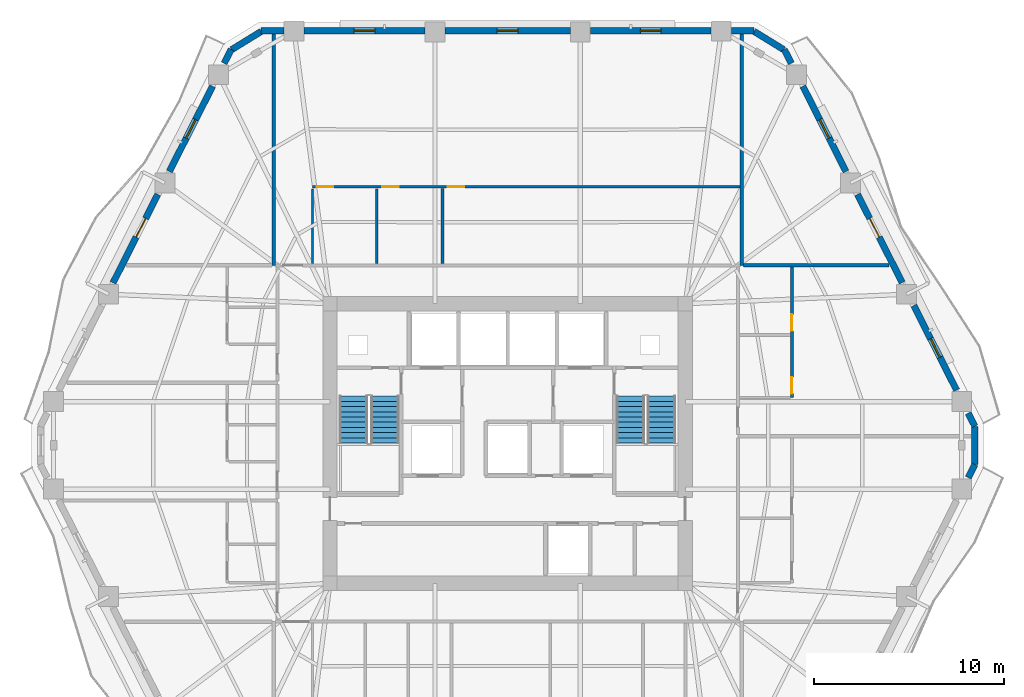
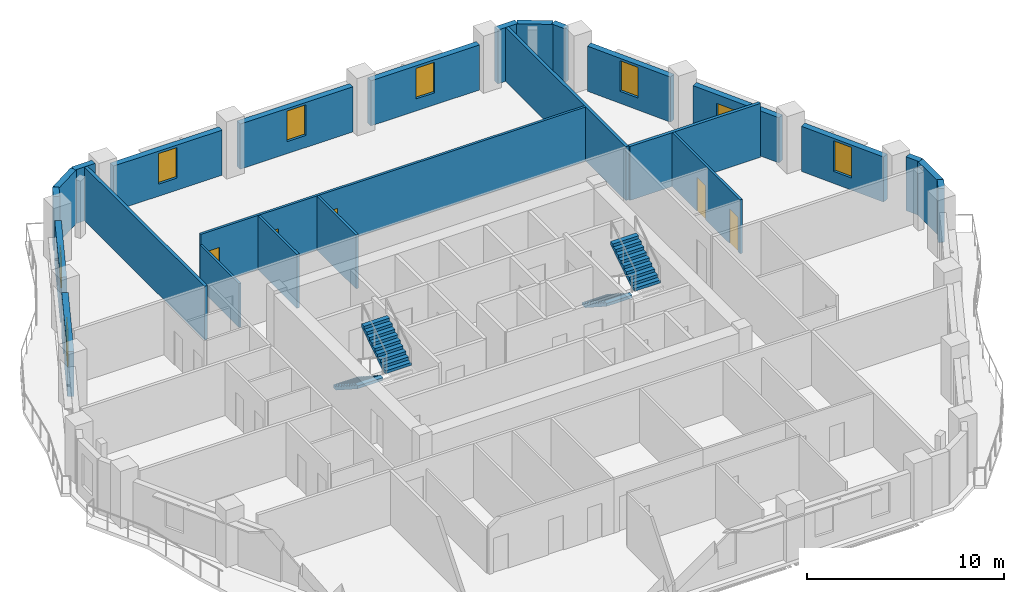
# One storey, part 7 of 12: 25 walls, 7 doors, 6 windows, 4 stair flights, 13 openings, 2 elements without a shape of their own.
"""IFC4 building model written with IfcOpenShell, lengths in metres."""

from ifc_helpers import new_model, si_unit, direction, frame, frame_2d, origin, place, context, subcontext, project, spatial, polyline, rectangle, outline, extrude, material, layer, layer_set, type_object, element, fill, aggregate, save


model = new_model("IFC4")

# Units and contexts
model_context = context("Model", 3, precision=1e-05, world=origin(), true_north=direction((0.0, 1.0)))
body_context = subcontext(model_context, "Body", "Model", "MODEL_VIEW")
ifc_project = project(units=[si_unit("LENGTHUNIT", "METRE"), si_unit("AREAUNIT", "SQUARE_METRE"), si_unit("VOLUMEUNIT", "CUBIC_METRE"), si_unit("PLANEANGLEUNIT", "RADIAN"), si_unit("MASSUNIT", "GRAM", prefix="KILO")], contexts=[model_context])

# Site, building, storey
site_placement = place(None, origin())
site = spatial("IfcSite", under=ifc_project, at=site_placement, CompositionType="ELEMENT")
building_placement = place(site_placement, origin())
building = spatial("IfcBuilding", under=site, at=building_placement, Name="Cinnabar Lancet Tower", CompositionType="ELEMENT")
storey_placement = place(building_placement, frame((0.0, 0.0, 123.25)))
storey = spatial("IfcBuildingStorey", under=building, at=storey_placement, Name="L32", CompositionType="ELEMENT", Elevation=123.25)

# Walls
ifc_material_1 = material(Name="Fire-rated twin-frame acoustic drywall", Category="gypsum")
ifc_layer_1 = layer(ifc_material_1, 0.179931640625)
ifc_layer_set_1 = layer_set([ifc_layer_1], Name="Fire-rated twin-frame acoustic drywall")
wall_type_1 = type_object("IfcWallType", Name="ARC-WL-PARTY-180", PredefinedType="PARTITIONING", material=ifc_layer_set_1)
for number, where, z_axis, x_axis, name in (
    (1, (20.050048828125, 35.300048828125, 0.0), (0.0, 0.0, 1.0), (0.0, 1.0, 0.0), "PW-L32-NPTY-200"),
    (2, (44.75, 35.300048828125, 0.0), (0.0, 0.0, 1.0), (0.0, 1.0, 0.0), "PW-L32-NPTY-448"),
):
    element("IfcWall", number, at=place(storey_placement, frame(where, z_axis=z_axis, x_axis=x_axis)), inside=storey, type_object=wall_type_1, Name=name, PredefinedType="PARTITIONING", context=body_context, shape_type="SweptSolid", body=[
        extrude(rectangle(XDim=12.195068359375, YDim=0.179931640625, at=frame_2d((6.09765625, 0.0))), origin(), (0.0, 0.0, 1.0), 3.340087890625),
    ])
wall_1_placement = place(storey_placement, frame((44.844970703125, 35.300048828125, 0.0), z_axis=(0.0, 0.0, 1.0), x_axis=(1.0, 0.0, 0.0)))
element("IfcWall", 3, at=wall_1_placement, inside=storey, type_object=wall_type_1, Name="PW-L32-ENB", PredefinedType="PARTITIONING", context=body_context, shape_type="SweptSolid", body=[
    extrude(rectangle(XDim=7.6689453125, YDim=0.179931640625, at=frame_2d((3.83447265625, 0.0))), origin(), (0.0, 0.0, 1.0), 3.340087890625),
])
ifc_material_2 = material(Name="Gypsum plasterboard stud partition", Category="gypsum")
ifc_layer_2 = layer(ifc_material_2, 0.125)
ifc_layer_set_2 = layer_set([ifc_layer_2], Name="Gypsum plasterboard stud partition")
wall_type_2 = type_object("IfcWallType", Name="ARC-WL-UNIT-125", PredefinedType="PARTITIONING", material=ifc_layer_set_2)
wall_2_placement = place(storey_placement, frame((22.10009765625, 35.385009765625, 0.0), z_axis=(0.0, 0.0, 1.0), x_axis=(0.0, 1.0, 0.0)))
element("IfcWall", 4, at=wall_2_placement, inside=storey, type_object=wall_type_2, Name="UW-L32-N01-FOYE", PredefinedType="PARTITIONING", context=body_context, shape_type="SweptSolid", body=[
    extrude(rectangle(XDim=3.9560546875, YDim=0.125, at=frame_2d((1.97802734375, 0.0))), origin(), (0.0, 0.0, 1.0), 2.721923828125),
])

# Wall, openings, doors
ifc_material_3 = material(Name="Moisture-resistant cement-board plumbing wall", Category="masonry")
ifc_layer_3 = layer(ifc_material_3, 0.139892578125)
ifc_layer_set_3 = layer_set([ifc_layer_3], Name="Moisture-resistant cement-board plumbing wall")
wall_type_3 = type_object("IfcWallType", Name="ARC-WL-WET-140", PredefinedType="PLUMBINGWALL", material=ifc_layer_set_3)
wall_3_placement = place(storey_placement, frame((22.10009765625, 39.446044921875, 0.0), z_axis=(0.0, 0.0, 1.0), x_axis=(1.0, 0.0, 0.0)))
wall_3 = element("IfcWall", 5, at=wall_3_placement, inside=storey, type_object=wall_type_3, Name="UW-L32-N01-SPL", PredefinedType="PLUMBINGWALL", context=body_context, shape_type="SweptSolid", body=[
    extrude(rectangle(XDim=22.554931640625, YDim=0.139892578125, at=frame_2d((11.27734375, 0.0))), origin(), (0.0, 0.0, 1.0), 3.340087890625),
])
opening_1_placement = place(wall_3_placement, frame((3.679931640625, 0.0, 0.0)))
opening_1 = element("IfcOpeningElement", 6, at=opening_1_placement, cuts=wall_3, Name="Opening BD-01", PredefinedType="OPENING", context=body_context, shape_type="SweptSolid", body=[
    extrude(rectangle(XDim=0.860107421875, YDim=2.10009765625, at=frame_2d((0.43017578125, 1.050048828125))), frame((0.0, 0.079833984375, 0.0), z_axis=(0.0, -1.0, 0.0), x_axis=(1.0, 0.0, 0.0)), (0.0, 0.0, 1.0), 0.159912109375),
])
opening_2_placement = place(wall_3_placement, frame((7.14208984375, 0.0, 0.0)))
opening_2 = element("IfcOpeningElement", 7, at=opening_2_placement, cuts=wall_3, Name="Opening RD-02", PredefinedType="OPENING", context=body_context, shape_type="SweptSolid", body=[
    extrude(rectangle(XDim=0.8798828125, YDim=2.14990234375, at=frame_2d((0.43994140625, 1.074951171875))), frame((0.0, 0.079833984375, 0.0), z_axis=(0.0, -1.0, 0.0), x_axis=(1.0, 0.0, 0.0)), (0.0, 0.0, 1.0), 0.159912109375),
])
opening_3_placement = place(wall_3_placement, frame((0.219970703125, 0.0, 0.0)))
opening_3 = element("IfcOpeningElement", 8, at=opening_3_placement, cuts=wall_3, Name="Opening RD-02", PredefinedType="OPENING", context=body_context, shape_type="SweptSolid", body=[
    extrude(rectangle(XDim=0.8798828125, YDim=2.14990234375, at=frame_2d((0.43994140625, 1.074951171875))), frame((0.0, 0.079833984375, 0.0), z_axis=(0.0, -1.0, 0.0), x_axis=(1.0, 0.0, 0.0)), (0.0, 0.0, 1.0), 0.159912109375),
])
ifc_material_4 = material(Name="Moisture-resistant timber bathroom door", Category="wood")
door_type_1 = type_object("IfcDoorType", Name="ARC-DR-BATH", OperationType="NOTDEFINED", PredefinedType="DOOR", material=ifc_material_4)
door_1_placement = place(opening_1_placement, origin())
door_1 = element("IfcDoor", 9, at=door_1_placement, inside=storey, type_object=door_type_1, Name="DR-L32-N01-BTH", OperationType="SINGLE_SWING_RIGHT", OverallHeight=2.10009765625, OverallWidth=0.860107421875, PredefinedType="DOOR", context=body_context, shape_type="SweptSolid", body=[
    extrude(rectangle(XDim=0.860107421875, YDim=2.10009765625, at=frame_2d((0.43017578125, 1.050048828125))), frame((0.0, 0.02490234375, 0.0), z_axis=(0.0, -1.0, 0.0), x_axis=(1.0, 0.0, 0.0)), (0.0, 0.0, 1.0), 0.050048828125),
])
fill(opening_1, door_1)
ifc_material_5 = material(Name="Engineered timber study door", Category="wood")
door_type_2 = type_object("IfcDoorType", Name="ARC-DR-STUDY", OperationType="NOTDEFINED", PredefinedType="DOOR", material=ifc_material_5)
door_2_placement = place(opening_2_placement, origin())
door_2 = element("IfcDoor", 10, at=door_2_placement, inside=storey, type_object=door_type_2, Name="DR-L32-N01-BTH-WDR", OperationType="SINGLE_SWING_LEFT", OverallHeight=2.14990234375, OverallWidth=0.8798828125, PredefinedType="DOOR", context=body_context, shape_type="SweptSolid", body=[
    extrude(rectangle(XDim=0.8798828125, YDim=2.14990234375, at=frame_2d((0.43994140625, 1.074951171875))), frame((0.0, 0.02490234375, 0.0), z_axis=(0.0, -1.0, 0.0), x_axis=(1.0, 0.0, 0.0)), (0.0, 0.0, 1.0), 0.050048828125),
])
fill(opening_2, door_2)
door_3_placement = place(opening_3_placement, origin())
door_3 = element("IfcDoor", 11, at=door_3_placement, inside=storey, type_object=door_type_2, Name="DR-L32-N01-KIT", OperationType="SINGLE_SWING_LEFT", OverallHeight=2.14990234375, OverallWidth=0.8798828125, PredefinedType="DOOR", context=body_context, shape_type="SweptSolid", body=[
    extrude(rectangle(XDim=0.8798828125, YDim=2.14990234375, at=frame_2d((0.43994140625, 1.074951171875))), frame((0.0, 0.02490234375, 0.0), z_axis=(0.0, -1.0, 0.0), x_axis=(1.0, 0.0, 0.0)), (0.0, 0.0, 1.0), 0.050048828125),
])
fill(opening_3, door_3)

# Walls
wall_4_placement = place(storey_placement, frame((25.5, 35.385009765625, 0.0), z_axis=(0.0, 0.0, 1.0), x_axis=(0.0, 1.0, 0.0)))
element("IfcWall", 12, at=wall_4_placement, inside=storey, type_object=wall_type_3, Name="UW-L32-N01-KDV", PredefinedType="PLUMBINGWALL", context=body_context, shape_type="SweptSolid", body=[
    extrude(rectangle(XDim=3.9560546875, YDim=0.139892578125, at=frame_2d((1.97802734375, 0.0))), origin(), (0.0, 0.0, 1.0), 3.340087890625),
])
wall_5_placement = place(storey_placement, frame((28.9619140625, 35.385009765625, 0.0), z_axis=(0.0, 0.0, 1.0), x_axis=(0.0, 1.0, 0.0)))
element("IfcWall", 13, at=wall_5_placement, inside=storey, type_object=wall_type_3, Name="UW-L32-N01-BTH-WDV", PredefinedType="PLUMBINGWALL", context=body_context, shape_type="SweptSolid", body=[
    extrude(rectangle(XDim=3.97607421875, YDim=0.139892578125, at=frame_2d((1.988037109375, 0.0))), origin(), (0.0, 0.0, 1.0), 3.340087890625),
])

# Wall, openings, doors
wall_6_placement = place(storey_placement, frame((47.39990234375, 28.325927734375, 0.0), z_axis=(0.0, 0.0, 1.0), x_axis=(0.0, 1.0, 0.0)))
wall_6 = element("IfcWall", 14, at=wall_6_placement, inside=storey, type_object=wall_type_3, Name="UW-L32-E02-SPL", PredefinedType="PLUMBINGWALL", context=body_context, shape_type="SweptSolid", body=[
    extrude(rectangle(XDim=6.879150390625, YDim=0.139892578125, at=frame_2d((3.439453125, 0.0))), origin(), (0.0, 0.0, 1.0), 3.340087890625),
])
opening_4_placement = place(wall_6_placement, frame((3.52197265625, 0.0, 0.0)))
opening_4 = element("IfcOpeningElement", 15, at=opening_4_placement, cuts=wall_6, Name="Opening BD-01", PredefinedType="OPENING", context=body_context, shape_type="SweptSolid", body=[
    extrude(rectangle(XDim=0.860107421875, YDim=2.10009765625, at=frame_2d((0.43017578125, 1.050048828125))), frame((0.0, 0.079833984375, 0.0), z_axis=(0.0, -1.0, 0.0), x_axis=(1.0, 0.0, 0.0)), (0.0, 0.0, 1.0), 0.159912109375),
])
opening_5_placement = place(wall_6_placement, frame((0.199951171875, 0.0, 0.0)))
opening_5 = element("IfcOpeningElement", 16, at=opening_5_placement, cuts=wall_6, Name="Opening RD-02", PredefinedType="OPENING", context=body_context, shape_type="SweptSolid", body=[
    extrude(rectangle(XDim=0.8798828125, YDim=2.14990234375, at=frame_2d((0.43994140625, 1.074951171875))), frame((0.0, 0.079833984375, 0.0), z_axis=(0.0, -1.0, 0.0), x_axis=(1.0, 0.0, 0.0)), (0.0, 0.0, 1.0), 0.159912109375),
])
door_4_placement = place(opening_4_placement, origin())
door_4 = element("IfcDoor", 17, at=door_4_placement, inside=storey, type_object=door_type_1, Name="DR-L32-E02-BTH", OperationType="SINGLE_SWING_LEFT", OverallHeight=2.10009765625, OverallWidth=0.860107421875, PredefinedType="DOOR", context=body_context, shape_type="SweptSolid", body=[
    extrude(rectangle(XDim=0.860107421875, YDim=2.10009765625, at=frame_2d((0.43017578125, 1.050048828125))), frame((0.0, 0.02490234375, 0.0), z_axis=(0.0, -1.0, 0.0), x_axis=(1.0, 0.0, 0.0)), (0.0, 0.0, 1.0), 0.050048828125),
])
fill(opening_4, door_4)
door_5_placement = place(opening_5_placement, origin())
door_5 = element("IfcDoor", 18, at=door_5_placement, inside=storey, type_object=door_type_2, Name="DR-L32-E02-KIT", OperationType="SINGLE_SWING_RIGHT", OverallHeight=2.14990234375, OverallWidth=0.8798828125, PredefinedType="DOOR", context=body_context, shape_type="SweptSolid", body=[
    extrude(rectangle(XDim=0.8798828125, YDim=2.14990234375, at=frame_2d((0.43994140625, 1.074951171875))), frame((0.0, 0.02490234375, 0.0), z_axis=(0.0, -1.0, 0.0), x_axis=(1.0, 0.0, 0.0)), (0.0, 0.0, 1.0), 0.050048828125),
])
fill(opening_5, door_5)

# Walls
ifc_material_6 = material(Name="Cinnabar red clay brick", Category="masonry")
ifc_layer_4 = layer(ifc_material_6, 0.340087890625)
ifc_layer_set_4 = layer_set([ifc_layer_4], Name="Cinnabar red clay brick")
wall_type_4 = type_object("IfcWallType", Name="ENV-WL-BRK-RED-340", PredefinedType="STANDARD", material=ifc_layer_set_4)
wall_7_placement = place(storey_placement, frame((57.032958984375, 24.802978515625, 0.0), z_axis=(0.0, 0.0, 1.0), x_axis=(0.0, 1.0, 0.0)))
element("IfcWall", 19, at=wall_7_placement, inside=storey, type_object=wall_type_4, Name="L32 Chamfered Corner Brick Pier 3.1", PredefinedType="STANDARD", context=body_context, shape_type="SweptSolid", body=[
    extrude(rectangle(XDim=1.994140625, YDim=0.340087890625, at=frame_2d((0.9970703125, 0.0))), origin(), (0.0, 0.0, 1.0), 3.340087890625),
])
for number, where, z_axis, x_axis, name in (
    (20, (46.970947265625, 46.677001953125, 0.0), (0.0, 0.0, 1.0), (-0.851798915137, 0.523868884523, 0.0), "L32 Chamfered Corner Brick Pier 4.1"),
    (21, (19.403076171875, 47.64501953125, 0.0), (0.0, 0.0, 1.0), (-0.851798915137, -0.523868884523, 0.0), "L32 Chamfered Corner Brick Pier 5.1"),
):
    element("IfcWall", number, at=place(storey_placement, frame(where, z_axis=z_axis, x_axis=x_axis)), inside=storey, type_object=wall_type_4, Name=name, PredefinedType="STANDARD", context=body_context, shape_type="SweptSolid", body=[
        extrude(rectangle(XDim=1.847900390625, YDim=0.340087890625, at=frame_2d((0.923828125, 0.0))), origin(), (0.0, 0.0, 1.0), 3.340087890625),
    ])
for number, where, z_axis, x_axis, name in (
    (22, (56.699951171875, 24.096923828125, 0.0), (0.0, 0.0, 1.0), (0.451819324107, 0.89210946546, 0.0), "L32 Face 2 Masonry Bay Wall 5"),
    (23, (57.053955078125, 26.803955078125, 0.0), (0.0, 0.0, 1.0), (-0.451819324107, 0.89210946546, 0.0), "L32 Face 3 Masonry Bay Wall 1"),
):
    element("IfcWall", number, at=place(storey_placement, frame(where, z_axis=z_axis, x_axis=x_axis)), inside=storey, type_object=wall_type_4, Name=name, PredefinedType="STANDARD", context=body_context, shape_type="SweptSolid", body=[
        extrude(rectangle(XDim=0.783447265625, YDim=0.340087890625, at=frame_2d((0.3916015625, 0.0))), origin(), (0.0, 0.0, 1.0), 3.340087890625),
    ])

# Wall, opening, window
wall_8_placement = place(storey_placement, frame((56.0869140625, 28.715087890625, 0.0), z_axis=(0.0, 0.0, 1.0), x_axis=(-0.451431617681, 0.892305718102, 0.0)))
wall_8 = element("IfcWall", 24, at=wall_8_placement, inside=storey, type_object=wall_type_4, Name="L32 Face 3 Masonry Bay Wall 2", PredefinedType="STANDARD", context=body_context, shape_type="SweptSolid", body=[
    extrude(rectangle(XDim=4.994873046875, YDim=0.340087890625, at=frame_2d((2.49755859375, 0.0))), origin(), (0.0, 0.0, 1.0), 2.797119140625),
])
opening_6_placement = place(wall_8_placement, frame((1.947021484375, 0.0, 0.75)))
opening_6 = element("IfcOpeningElement", 25, at=opening_6_placement, cuts=wall_8, Name="Opening WN-04", PredefinedType="OPENING", context=body_context, shape_type="SweptSolid", body=[
    extrude(rectangle(XDim=1.10009765625, YDim=1.89697265625, at=frame_2d((0.550048828125, 0.948486328125))), frame((0.0, 0.179931640625, 0.0), z_axis=(0.0, -1.0, 0.0), x_axis=(1.0, 0.0, 0.0)), (0.0, 0.0, 1.0), 0.360107421875),
])
ifc_material_7 = material(Name="Thermally broken bronze-anodized aluminium tall lancet window", Category="aluminium")
window_type = type_object("IfcWindowType", Name="ENV-WN-LANCET-1100", PartitioningType="SINGLE_PANEL", PredefinedType="WINDOW", material=ifc_material_7)
window_1_placement = place(opening_6_placement, origin())
window_1 = element("IfcWindow", 26, at=window_1_placement, inside=storey, type_object=window_type, Name="L32 Face 3 Gothic Lancet Window 2", OverallHeight=1.89697265625, OverallWidth=1.10009765625, PartitioningType="SINGLE_PANEL", PredefinedType="WINDOW", context=body_context, shape_type="SweptSolid", body=[
    extrude(rectangle(XDim=1.10009765625, YDim=1.89697265625, at=frame_2d((0.550048828125, 0.948486328125))), frame((0.0, 0.030029296875, 0.0), z_axis=(0.0, -1.0, 0.0), x_axis=(1.0, 0.0, 0.0)), (0.0, 0.0, 1.0), 0.06005859375),
])
fill(opening_6, window_1)

# Wall, opening, door
wall_9_placement = place(storey_placement, frame((53.219970703125, 34.382080078125, 0.0), z_axis=(0.0, 0.0, 1.0), x_axis=(-0.451567731634, 0.892236842855, 0.0)))
wall_9 = element("IfcWall", 27, at=wall_9_placement, inside=storey, type_object=wall_type_4, Name="L32 Face 3 Masonry Bay Wall 3", PredefinedType="STANDARD", context=body_context, shape_type="SweptSolid", body=[
    extrude(rectangle(XDim=5.219482421875, YDim=0.340087890625, at=frame_2d((2.60986328125, 0.0))), origin(), (0.0, 0.0, 1.0), 2.797119140625),
])
opening_7_placement = place(wall_9_placement, frame((2.698974609375, 0.0, 0.0)))
opening_7 = element("IfcOpeningElement", 28, at=opening_7_placement, cuts=wall_9, Name="Opening TD-01", PredefinedType="OPENING", context=body_context, shape_type="SweptSolid", body=[
    extrude(rectangle(XDim=1.10009765625, YDim=2.25, at=frame_2d((0.550048828125, 1.125))), frame((0.0, 0.179931640625, 0.0), z_axis=(0.0, -1.0, 0.0), x_axis=(1.0, 0.0, 0.0)), (0.0, 0.0, 1.0), 0.360107421875),
])
ifc_material_8 = material(Name="Thermally broken low-E glazed balcony terrace door", Category="wood")
door_type_3 = type_object("IfcDoorType", Name="ARC-DR-BALC", OperationType="NOTDEFINED", PredefinedType="DOOR", material=ifc_material_8)
door_6_placement = place(opening_7_placement, origin())
door_6 = element("IfcDoor", 29, at=door_6_placement, inside=storey, type_object=door_type_3, Name="L32 Face 3 Glazed Terrace Door", OperationType="SINGLE_SWING_LEFT", OverallHeight=2.25, OverallWidth=1.10009765625, PredefinedType="DOOR", context=body_context, shape_type="SweptSolid", body=[
    extrude(rectangle(XDim=1.10009765625, YDim=2.25, at=frame_2d((0.550048828125, 1.125))), frame((0.0, 0.02490234375, 0.0), z_axis=(0.0, -1.0, 0.0), x_axis=(1.0, 0.0, 0.0)), (0.0, 0.0, 1.0), 0.050048828125),
])
fill(opening_7, door_6)

# Wall, opening, window
wall_10_placement = place(storey_placement, frame((50.2509765625, 40.2509765625, 0.0), z_axis=(0.0, 0.0, 1.0), x_axis=(-0.451548465867, 0.892246593142, 0.0)))
wall_10 = element("IfcWall", 30, at=wall_10_placement, inside=storey, type_object=wall_type_4, Name="L32 Face 3 Masonry Bay Wall 4", PredefinedType="STANDARD", context=body_context, shape_type="SweptSolid", body=[
    extrude(rectangle(XDim=5.040283203125, YDim=0.340087890625, at=frame_2d((2.52001953125, 0.0))), origin(), (0.0, 0.0, 1.0), 2.797119140625),
])
opening_8_placement = place(wall_10_placement, frame((1.969970703125, 0.0, 0.75)))
opening_8 = element("IfcOpeningElement", 31, at=opening_8_placement, cuts=wall_10, Name="Opening WN-04", PredefinedType="OPENING", context=body_context, shape_type="SweptSolid", body=[
    extrude(rectangle(XDim=1.10009765625, YDim=1.89697265625, at=frame_2d((0.550048828125, 0.948486328125))), frame((0.0, 0.179931640625, 0.0), z_axis=(0.0, -1.0, 0.0), x_axis=(1.0, 0.0, 0.0)), (0.0, 0.0, 1.0), 0.360107421875),
])
window_2_placement = place(opening_8_placement, origin())
window_2 = element("IfcWindow", 32, at=window_2_placement, inside=storey, type_object=window_type, Name="L32 Face 3 Gothic Lancet Window 4", OverallHeight=1.89697265625, OverallWidth=1.10009765625, PartitioningType="SINGLE_PANEL", PredefinedType="WINDOW", context=body_context, shape_type="SweptSolid", body=[
    extrude(rectangle(XDim=1.10009765625, YDim=1.89697265625, at=frame_2d((0.550048828125, 0.948486328125))), frame((0.0, 0.030029296875, 0.0), z_axis=(0.0, -1.0, 0.0), x_axis=(1.0, 0.0, 0.0)), (0.0, 0.0, 1.0), 0.06005859375),
])
fill(opening_8, window_2)

# Walls
wall_11_placement = place(storey_placement, frame((47.362060546875, 45.9599609375, 0.0), z_axis=(0.0, 0.0, 1.0), x_axis=(-0.45160540153, 0.89221777684, 0.0)))
element("IfcWall", 33, at=wall_11_placement, inside=storey, type_object=wall_type_4, Name="L32 Face 3 Masonry Bay Wall 5", PredefinedType="STANDARD", context=body_context, shape_type="SweptSolid", body=[
    extrude(rectangle(XDim=0.82177734375, YDim=0.340087890625, at=frame_2d((0.410888671875, 0.0))), origin(), (0.0, 0.0, 1.0), 3.340087890625),
])
wall_12_placement = place(storey_placement, frame((45.402099609375, 47.669921875, 0.0), z_axis=(0.0, 0.0, 1.0), x_axis=(-1.0, 0.0, 0.0)))
element("IfcWall", 34, at=wall_12_placement, inside=storey, type_object=wall_type_4, Name="L32 Face 4 Masonry Bay Wall 1", PredefinedType="STANDARD", context=body_context, shape_type="SweptSolid", body=[
    extrude(rectangle(XDim=1.2041015625, YDim=0.340087890625, at=frame_2d((0.60205078125, 0.0))), origin(), (0.0, 0.0, 1.0), 3.340087890625),
])

# Wall, opening, window
wall_13_placement = place(storey_placement, frame((43.139892578125, 47.669921875, 0.0), z_axis=(0.0, 0.0, 1.0), x_axis=(-1.0, 0.0, 0.0)))
wall_13 = element("IfcWall", 35, at=wall_13_placement, inside=storey, type_object=wall_type_4, Name="L32 Face 4 Masonry Bay Wall 2", PredefinedType="STANDARD", context=body_context, shape_type="SweptSolid", body=[
    extrude(rectangle(XDim=6.37890625, YDim=0.340087890625, at=frame_2d((3.189453125, 0.0))), origin(), (0.0, 0.0, 1.0), 2.797119140625),
])
opening_9_placement = place(wall_13_placement, frame((2.638916015625, 0.0, 0.75)))
opening_9 = element("IfcOpeningElement", 36, at=opening_9_placement, cuts=wall_13, Name="Opening WN-04", PredefinedType="OPENING", context=body_context, shape_type="SweptSolid", body=[
    extrude(rectangle(XDim=1.10009765625, YDim=1.89697265625, at=frame_2d((0.550048828125, 0.948486328125))), frame((0.0, 0.179931640625, 0.0), z_axis=(0.0, -1.0, 0.0), x_axis=(1.0, 0.0, 0.0)), (0.0, 0.0, 1.0), 0.360107421875),
])
window_3_placement = place(opening_9_placement, origin())
window_3 = element("IfcWindow", 37, at=window_3_placement, inside=storey, type_object=window_type, Name="L32 Face 4 Gothic Lancet Window 2", OverallHeight=1.89697265625, OverallWidth=1.10009765625, PartitioningType="SINGLE_PANEL", PredefinedType="WINDOW", context=body_context, shape_type="SweptSolid", body=[
    extrude(rectangle(XDim=1.10009765625, YDim=1.89697265625, at=frame_2d((0.550048828125, 0.948486328125))), frame((0.0, 0.030029296875, 0.0), z_axis=(0.0, -1.0, 0.0), x_axis=(1.0, 0.0, 0.0)), (0.0, 0.0, 1.0), 0.06005859375),
])
fill(opening_9, window_3)

wall_14_placement = place(storey_placement, frame((35.702880859375, 47.669921875, 0.0), z_axis=(0.0, 0.0, 1.0), x_axis=(-1.0, 0.0, 0.0)))
wall_14 = element("IfcWall", 38, at=wall_14_placement, inside=storey, type_object=wall_type_4, Name="L32 Face 4 Masonry Bay Wall 3", PredefinedType="STANDARD", context=body_context, shape_type="SweptSolid", body=[
    extrude(rectangle(XDim=6.60595703125, YDim=0.340087890625, at=frame_2d((3.302978515625, 0.0))), origin(), (0.0, 0.0, 1.0), 2.797119140625),
])
opening_10_placement = place(wall_14_placement, frame((2.7529296875, 0.0, 0.75)))
opening_10 = element("IfcOpeningElement", 39, at=opening_10_placement, cuts=wall_14, Name="Opening WN-04", PredefinedType="OPENING", context=body_context, shape_type="SweptSolid", body=[
    extrude(rectangle(XDim=1.10009765625, YDim=1.89697265625, at=frame_2d((0.550048828125, 0.948486328125))), frame((0.0, 0.179931640625, 0.0), z_axis=(0.0, -1.0, 0.0), x_axis=(1.0, 0.0, 0.0)), (0.0, 0.0, 1.0), 0.360107421875),
])
window_4_placement = place(opening_10_placement, origin())
window_4 = element("IfcWindow", 40, at=window_4_placement, inside=storey, type_object=window_type, Name="L32 Face 4 Gothic Lancet Window 3", OverallHeight=1.89697265625, OverallWidth=1.10009765625, PartitioningType="SINGLE_PANEL", PredefinedType="WINDOW", context=body_context, shape_type="SweptSolid", body=[
    extrude(rectangle(XDim=1.10009765625, YDim=1.89697265625, at=frame_2d((0.550048828125, 0.948486328125))), frame((0.0, 0.030029296875, 0.0), z_axis=(0.0, -1.0, 0.0), x_axis=(1.0, 0.0, 0.0)), (0.0, 0.0, 1.0), 0.06005859375),
])
fill(opening_10, window_4)

wall_15_placement = place(storey_placement, frame((28.0390625, 47.669921875, 0.0), z_axis=(0.0, 0.0, 1.0), x_axis=(-1.0, 0.0, 0.0)))
wall_15 = element("IfcWall", 41, at=wall_15_placement, inside=storey, type_object=wall_type_4, Name="L32 Face 4 Masonry Bay Wall 4", PredefinedType="STANDARD", context=body_context, shape_type="SweptSolid", body=[
    extrude(rectangle(XDim=6.379150390625, YDim=0.340087890625, at=frame_2d((3.189453125, 0.0))), origin(), (0.0, 0.0, 1.0), 2.797119140625),
])
opening_11_placement = place(wall_15_placement, frame((2.639892578125, 0.0, 0.75)))
opening_11 = element("IfcOpeningElement", 42, at=opening_11_placement, cuts=wall_15, Name="Opening WN-04", PredefinedType="OPENING", context=body_context, shape_type="SweptSolid", body=[
    extrude(rectangle(XDim=1.10009765625, YDim=1.89697265625, at=frame_2d((0.550048828125, 0.948486328125))), frame((0.0, 0.179931640625, 0.0), z_axis=(0.0, -1.0, 0.0), x_axis=(1.0, 0.0, 0.0)), (0.0, 0.0, 1.0), 0.360107421875),
])
window_5_placement = place(opening_11_placement, origin())
window_5 = element("IfcWindow", 43, at=window_5_placement, inside=storey, type_object=window_type, Name="L32 Face 4 Gothic Lancet Window 4", OverallHeight=1.89697265625, OverallWidth=1.10009765625, PartitioningType="SINGLE_PANEL", PredefinedType="WINDOW", context=body_context, shape_type="SweptSolid", body=[
    extrude(rectangle(XDim=1.10009765625, YDim=1.89697265625, at=frame_2d((0.550048828125, 0.948486328125))), frame((0.0, 0.030029296875, 0.0), z_axis=(0.0, -1.0, 0.0), x_axis=(1.0, 0.0, 0.0)), (0.0, 0.0, 1.0), 0.06005859375),
])
fill(opening_11, window_5)

# Walls
wall_16_placement = place(storey_placement, frame((20.60205078125, 47.669921875, 0.0), z_axis=(0.0, 0.0, 1.0), x_axis=(-1.0, 0.0, 0.0)))
element("IfcWall", 44, at=wall_16_placement, inside=storey, type_object=wall_type_4, Name="L32 Face 4 Masonry Bay Wall 5", PredefinedType="STANDARD", context=body_context, shape_type="SweptSolid", body=[
    extrude(rectangle(XDim=1.2041015625, YDim=0.340087890625, at=frame_2d((0.60205078125, 0.0))), origin(), (0.0, 0.0, 1.0), 3.340087890625),
])
wall_17_placement = place(storey_placement, frame((17.80908203125, 46.693115234375, 0.0), z_axis=(0.0, 0.0, 1.0), x_axis=(-0.45160540153, -0.89221777684, 0.0)))
element("IfcWall", 45, at=wall_17_placement, inside=storey, type_object=wall_type_4, Name="L32 Face 5 Masonry Bay Wall 1", PredefinedType="STANDARD", context=body_context, shape_type="SweptSolid", body=[
    extrude(rectangle(XDim=0.82177734375, YDim=0.340087890625, at=frame_2d((0.410888671875, 0.0))), origin(), (0.0, 0.0, 1.0), 3.340087890625),
])

# Wall, opening, window
wall_18_placement = place(storey_placement, frame((16.824951171875, 44.748046875, 0.0), z_axis=(0.0, 0.0, 1.0), x_axis=(-0.451548465867, -0.892246593142, 0.0)))
wall_18 = element("IfcWall", 46, at=wall_18_placement, inside=storey, type_object=wall_type_4, Name="L32 Face 5 Masonry Bay Wall 2", PredefinedType="STANDARD", context=body_context, shape_type="SweptSolid", body=[
    extrude(rectangle(XDim=5.040283203125, YDim=0.340087890625, at=frame_2d((2.52001953125, 0.0))), origin(), (0.0, 0.0, 1.0), 2.797119140625),
])
opening_12_placement = place(wall_18_placement, frame((1.969970703125, 0.0, 0.75)))
opening_12 = element("IfcOpeningElement", 47, at=opening_12_placement, cuts=wall_18, Name="Opening WN-04", PredefinedType="OPENING", context=body_context, shape_type="SweptSolid", body=[
    extrude(rectangle(XDim=1.10009765625, YDim=1.89697265625, at=frame_2d((0.550048828125, 0.948486328125))), frame((0.0, 0.179931640625, 0.0), z_axis=(0.0, -1.0, 0.0), x_axis=(1.0, 0.0, 0.0)), (0.0, 0.0, 1.0), 0.360107421875),
])
window_6_placement = place(opening_12_placement, origin())
window_6 = element("IfcWindow", 48, at=window_6_placement, inside=storey, type_object=window_type, Name="L32 Face 5 Gothic Lancet Window 2", OverallHeight=1.89697265625, OverallWidth=1.10009765625, PartitioningType="SINGLE_PANEL", PredefinedType="WINDOW", context=body_context, shape_type="SweptSolid", body=[
    extrude(rectangle(XDim=1.10009765625, YDim=1.89697265625, at=frame_2d((0.550048828125, 0.948486328125))), frame((0.0, 0.030029296875, 0.0), z_axis=(0.0, -1.0, 0.0), x_axis=(1.0, 0.0, 0.0)), (0.0, 0.0, 1.0), 0.06005859375),
])
fill(opening_12, window_6)

# Wall, opening, door
wall_19_placement = place(storey_placement, frame((13.93701171875, 39.0390625, 0.0), z_axis=(0.0, 0.0, 1.0), x_axis=(-0.451567731634, -0.892236842855, 0.0)))
wall_19 = element("IfcWall", 49, at=wall_19_placement, inside=storey, type_object=wall_type_4, Name="L32 Face 5 Masonry Bay Wall 3", PredefinedType="STANDARD", context=body_context, shape_type="SweptSolid", body=[
    extrude(rectangle(XDim=5.219482421875, YDim=0.340087890625, at=frame_2d((2.60986328125, 0.0))), origin(), (0.0, 0.0, 1.0), 2.797119140625),
])
opening_13_placement = place(wall_19_placement, frame((1.419921875, 0.0, 0.0)))
opening_13 = element("IfcOpeningElement", 50, at=opening_13_placement, cuts=wall_19, Name="Opening TD-01", PredefinedType="OPENING", context=body_context, shape_type="SweptSolid", body=[
    extrude(rectangle(XDim=1.10009765625, YDim=2.25, at=frame_2d((0.550048828125, 1.125))), frame((0.0, 0.179931640625, 0.0), z_axis=(0.0, -1.0, 0.0), x_axis=(1.0, 0.0, 0.0)), (0.0, 0.0, 1.0), 0.360107421875),
])
door_7_placement = place(opening_13_placement, origin())
door_7 = element("IfcDoor", 51, at=door_7_placement, inside=storey, type_object=door_type_3, Name="L32 Face 5 Glazed Terrace Door", OperationType="SINGLE_SWING_LEFT", OverallHeight=2.25, OverallWidth=1.10009765625, PredefinedType="DOOR", context=body_context, shape_type="SweptSolid", body=[
    extrude(rectangle(XDim=1.10009765625, YDim=2.25, at=frame_2d((0.550048828125, 1.125))), frame((0.0, 0.02490234375, 0.0), z_axis=(0.0, -1.0, 0.0), x_axis=(1.0, 0.0, 0.0)), (0.0, 0.0, 1.0), 0.050048828125),
])
fill(opening_13, door_7)

# Stair, stair flights
ifc_material_9 = material(Name="Concrete C40/50", Category="concrete")
stair_type = type_object("IfcStairType", Name="ST-CORE", PredefinedType="HALF_TURN_STAIR", material=ifc_material_9)
stair_1_placement = place(storey_placement, origin())
stair_1 = element("IfcStair", 52, at=stair_1_placement, inside=storey, type_object=stair_type, Name="L32 ST-1", PredefinedType="HALF_TURN_STAIR")
ifc_material_10 = material(Name="Concrete C40/50", Category="concrete")
stair_flight_type = type_object("IfcStairFlightType", Name="FLIGHT-CORE", PredefinedType="STRAIGHT", material=ifc_material_10)
stair_flight_1_placement = place(storey_placement, frame((24.27490234375, 28.39990234375, 0.0), z_axis=(0.0, 0.0, 1.0), x_axis=(0.0, -1.0, 0.0)))
stair_flight_1 = element("IfcStairFlight", 53, at=stair_flight_1_placement, type_object=stair_flight_type, Name="ST-1 flight 1", NumberOfRisers=10, NumberOfTreads=9, PredefinedType="STRAIGHT", RiserHeight=0.1775, TreadLength=0.275, context=body_context, shape_type="SweptSolid", body=[
    extrude(outline(polyline([(0.0, 0.0), (0.0, 0.177490234375), (0.27490234375, 0.177490234375), (0.27490234375, 0.35498046875), (0.550048828125, 0.35498046875), (0.550048828125, 0.532470703125), (0.824951171875, 0.532470703125), (0.824951171875, 0.7099609375), (1.10009765625, 0.7099609375), (1.10009765625, 0.887451171875), (1.375, 0.887451171875), (1.375, 1.06494140625), (1.64990234375, 1.06494140625), (1.64990234375, 1.242431640625), (1.925048828125, 1.242431640625), (1.925048828125, 1.419921875), (2.199951171875, 1.419921875), (2.199951171875, 1.597412109375), (2.47509765625, 1.597412109375), (2.47509765625, 1.77490234375), (2.47509765625, 1.419189453125), (0.2763671875, 0.0), (0.0, 0.0)])), frame((0.0, 0.75, 0.0), z_axis=(0.0, -1.0, 0.0), x_axis=(1.0, 0.0, 0.0)), (0.0, 0.0, 1.0), 1.5),
])
stair_flight_2_placement = place(storey_placement, frame((25.925048828125, 25.925048828125, 1.77490234375), z_axis=(0.0, 0.0, 1.0), x_axis=(0.0, 1.0, 0.0)))
stair_flight_2 = element("IfcStairFlight", 54, at=stair_flight_2_placement, type_object=stair_flight_type, Name="ST-1 flight 2", NumberOfRisers=10, NumberOfTreads=9, PredefinedType="STRAIGHT", RiserHeight=0.1775, TreadLength=0.275, context=body_context, shape_type="SweptSolid", body=[
    extrude(outline(polyline([(0.0, 0.0), (0.0, 0.177490234375), (0.27490234375, 0.177490234375), (0.27490234375, 0.35498046875), (0.550048828125, 0.35498046875), (0.550048828125, 0.532470703125), (0.824951171875, 0.532470703125), (0.824951171875, 0.7099609375), (1.10009765625, 0.7099609375), (1.10009765625, 0.887451171875), (1.375, 0.887451171875), (1.375, 1.06494140625), (1.64990234375, 1.06494140625), (1.64990234375, 1.242431640625), (1.925048828125, 1.242431640625), (1.925048828125, 1.419921875), (2.199951171875, 1.419921875), (2.199951171875, 1.597412109375), (2.47509765625, 1.597412109375), (2.47509765625, 1.77490234375), (2.47509765625, 1.419189453125), (0.2763671875, 0.0), (0.0, 0.0)])), frame((0.0, 0.75, 0.0), z_axis=(0.0, -1.0, 0.0), x_axis=(1.0, 0.0, 0.0)), (0.0, 0.0, 1.0), 1.5),
])
aggregate(stair_1, [stair_flight_1, stair_flight_2])

stair_2_placement = place(storey_placement, origin())
stair_2 = element("IfcStair", 55, at=stair_2_placement, inside=storey, type_object=stair_type, Name="L32 ST-2", PredefinedType="HALF_TURN_STAIR")
stair_flight_3_placement = place(storey_placement, frame((38.875, 28.39990234375, 0.0), z_axis=(0.0, 0.0, 1.0), x_axis=(0.0, -1.0, 0.0)))
stair_flight_3 = element("IfcStairFlight", 56, at=stair_flight_3_placement, type_object=stair_flight_type, Name="ST-2 flight 1", NumberOfRisers=10, NumberOfTreads=9, PredefinedType="STRAIGHT", RiserHeight=0.1775, TreadLength=0.275, context=body_context, shape_type="SweptSolid", body=[
    extrude(outline(polyline([(0.0, 0.0), (0.0, 0.177490234375), (0.27490234375, 0.177490234375), (0.27490234375, 0.35498046875), (0.550048828125, 0.35498046875), (0.550048828125, 0.532470703125), (0.824951171875, 0.532470703125), (0.824951171875, 0.7099609375), (1.10009765625, 0.7099609375), (1.10009765625, 0.887451171875), (1.375, 0.887451171875), (1.375, 1.06494140625), (1.64990234375, 1.06494140625), (1.64990234375, 1.242431640625), (1.925048828125, 1.242431640625), (1.925048828125, 1.419921875), (2.199951171875, 1.419921875), (2.199951171875, 1.597412109375), (2.47509765625, 1.597412109375), (2.47509765625, 1.77490234375), (2.47509765625, 1.419189453125), (0.2763671875, 0.0), (0.0, 0.0)])), frame((0.0, 0.75, 0.0), z_axis=(0.0, -1.0, 0.0), x_axis=(1.0, 0.0, 0.0)), (0.0, 0.0, 1.0), 1.5),
])
stair_flight_4_placement = place(storey_placement, frame((40.52490234375, 25.925048828125, 1.77490234375), z_axis=(0.0, 0.0, 1.0), x_axis=(0.0, 1.0, 0.0)))
stair_flight_4 = element("IfcStairFlight", 57, at=stair_flight_4_placement, type_object=stair_flight_type, Name="ST-2 flight 2", NumberOfRisers=10, NumberOfTreads=9, PredefinedType="STRAIGHT", RiserHeight=0.1775, TreadLength=0.275, context=body_context, shape_type="SweptSolid", body=[
    extrude(outline(polyline([(0.0, 0.0), (0.0, 0.177490234375), (0.27490234375, 0.177490234375), (0.27490234375, 0.35498046875), (0.550048828125, 0.35498046875), (0.550048828125, 0.532470703125), (0.824951171875, 0.532470703125), (0.824951171875, 0.7099609375), (1.10009765625, 0.7099609375), (1.10009765625, 0.887451171875), (1.375, 0.887451171875), (1.375, 1.06494140625), (1.64990234375, 1.06494140625), (1.64990234375, 1.242431640625), (1.925048828125, 1.242431640625), (1.925048828125, 1.419921875), (2.199951171875, 1.419921875), (2.199951171875, 1.597412109375), (2.47509765625, 1.597412109375), (2.47509765625, 1.77490234375), (2.47509765625, 1.419189453125), (0.2763671875, 0.0), (0.0, 0.0)])), frame((0.0, 0.75, 0.0), z_axis=(0.0, -1.0, 0.0), x_axis=(1.0, 0.0, 0.0)), (0.0, 0.0, 1.0), 1.5),
])
aggregate(stair_2, [stair_flight_3, stair_flight_4])

save(model, "model.ifc")
